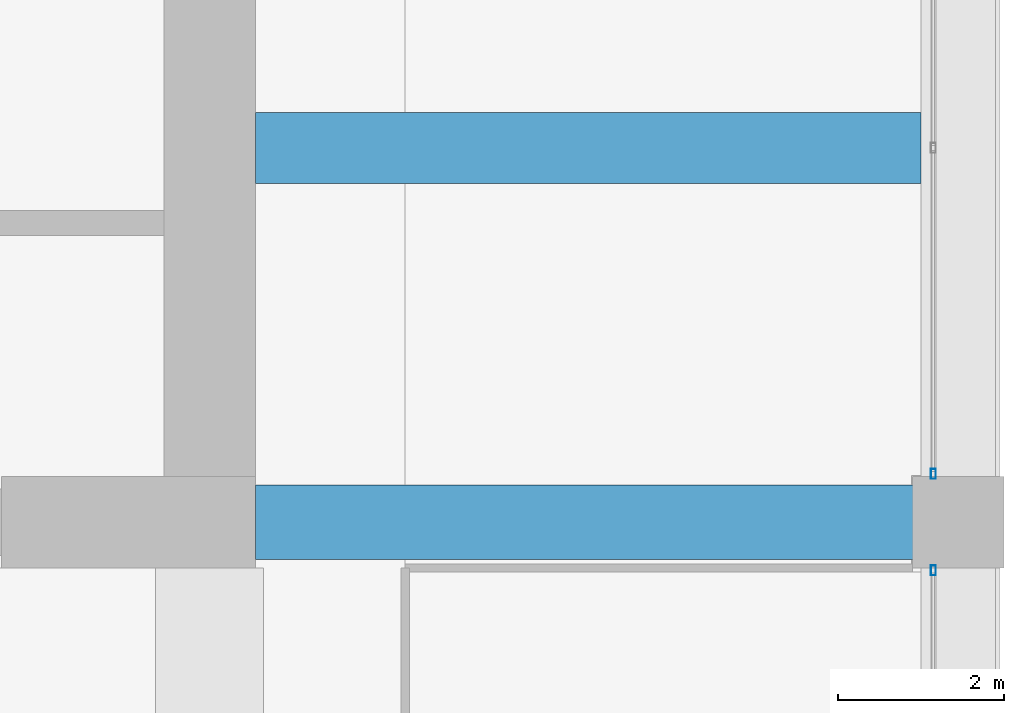
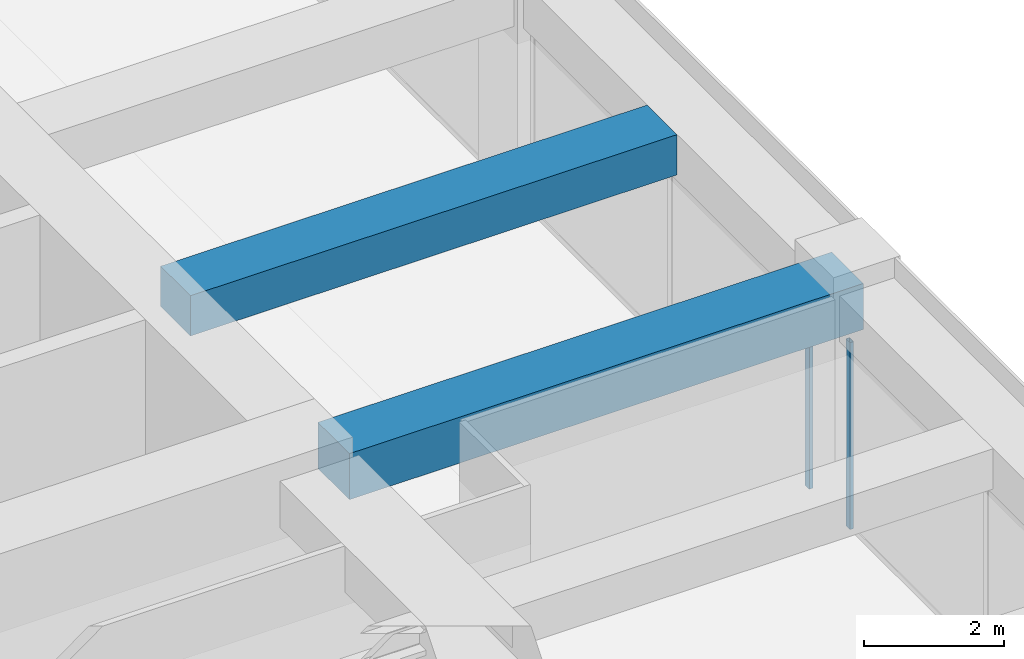
# One storey, part 24 of 44: 2 beams, 2 members, 2 elements without a shape of their own.
"""IFC4 building model written with IfcOpenShell, lengths in metres."""

from ifc_helpers import new_model, si_unit, direction, frame, origin, origin_2d, place, context, subcontext, project, spatial, rectangle, hollow_rectangle, extrude, material, material_profile, profile_set, type_object, element, aggregate, save


model = new_model("IFC4")

# Units and contexts
model_context = context("Model", 3, precision=1e-05, world=origin(), true_north=direction((0.0, 1.0)))
body_context = subcontext(model_context, "Body", "Model", "MODEL_VIEW")
ifc_project = project(units=[si_unit("LENGTHUNIT", "METRE"), si_unit("AREAUNIT", "SQUARE_METRE"), si_unit("VOLUMEUNIT", "CUBIC_METRE"), si_unit("PLANEANGLEUNIT", "RADIAN"), si_unit("MASSUNIT", "GRAM", prefix="KILO")], contexts=[model_context])

# Site, building, storey
site_placement = place(None, origin())
site = spatial("IfcSite", under=ifc_project, at=site_placement, CompositionType="ELEMENT")
building_placement = place(site_placement, origin())
building = spatial("IfcBuilding", under=site, at=building_placement, Name="Zorevar Civic Tower", CompositionType="ELEMENT")
storey_placement = place(building_placement, frame((0.0, 0.0, 307.39990234375)))
storey = spatial("IfcBuildingStorey", under=building, at=storey_placement, Name="L75", CompositionType="ELEMENT", Elevation=307.39990234375)

# Beams
ifc_material_1 = material(Name="Concrete C50/60", Category="concrete")
ifc_material_profile_1 = material_profile(ifc_material_1, rectangle(XDim=0.85009765625, YDim=0.699951171875, at=origin_2d()), Name="RC 850x700")
ifc_profile_set_1 = profile_set([ifc_material_profile_1], Name="Concrete C50/60")
beam_type_1 = type_object("IfcBeamType", Name="Beam RC 850x700", PredefinedType="BEAM", material=ifc_profile_set_1)
beam_1_placement = place(storey_placement, frame((45.550048828125, 22.5, 3.7001953125), z_axis=(1.0, 0.0, 0.0), x_axis=(0.0, 1.0, 0.0)))
element("IfcBeam", 1, at=beam_1_placement, inside=storey, type_object=beam_type_1, Name="Secondary beam RF", PredefinedType="BEAM", context=body_context, shape_type="SweptSolid", body=[
    extrude(rectangle(XDim=0.85009765625, YDim=0.699951171875, at=origin_2d()), origin(), (0.0, 0.0, 1.0), 8.0),
])
ifc_material_2 = material(Name="Concrete C50/60", Category="concrete")
ifc_material_profile_2 = material_profile(ifc_material_2, rectangle(XDim=0.89990234375, YDim=0.800048828125, at=origin_2d()), Name="RC 900x800")
ifc_profile_set_2 = profile_set([ifc_material_profile_2], Name="Concrete C50/60")
beam_type_2 = type_object("IfcBeamType", Name="Beam RC 900x800", PredefinedType="BEAM", material=ifc_profile_set_2)
beam_2_placement = place(storey_placement, frame((45.550048828125, 18.0, 3.650146484375), z_axis=(1.0, 0.0, 0.0), x_axis=(0.0, 1.0, 0.0)))
element("IfcBeam", 2, at=beam_2_placement, inside=storey, type_object=beam_type_2, Name="Girder RF", PredefinedType="BEAM", context=body_context, shape_type="SweptSolid", body=[
    extrude(rectangle(XDim=0.89990234375, YDim=0.800048828125, at=origin_2d()), origin(), (0.0, 0.0, 1.0), 8.449951171875),
])

# Curtain wall, member
ifc_material_3 = material(Name="Dark grey solar-control glass in black aluminium frame", Category="aluminium")
curtain_wall_type = type_object("IfcCurtainWallType", Name="Curtain wall CW5 top zone", PredefinedType="NOTDEFINED", material=ifc_material_3)
curtain_wall_1_placement = place(storey_placement, origin())
curtain_wall_1 = element("IfcCurtainWall", 3, at=curtain_wall_1_placement, inside=storey, type_object=curtain_wall_type, Name="CW5 L75", PredefinedType="NOTDEFINED")
ifc_material_4 = material(Name="Aluminium, black anodised", Category="aluminium")
ifc_material_profile_3 = material_profile(ifc_material_4, hollow_rectangle(XDim=0.06005859375, YDim=0.1201171875, WallThickness=0.0029296875, at=origin_2d()), Name="AL 120x60x3")
ifc_profile_set_3 = profile_set([ifc_material_profile_3], Name="Aluminium, black anodised")
member_type = type_object("IfcMemberType", Name="CW5 mullion AL 120x60x3", PredefinedType="MULLION", material=ifc_profile_set_3)
member_1_placement = place(storey_placement, frame((53.699951171875, 17.419921875, 0.0), z_axis=(0.0, 0.0, 1.0), x_axis=(-1.0, 0.0, 0.0)))
member_1 = element("IfcMember", 4, at=member_1_placement, type_object=member_type, Name="CW5 mullion 3", PredefinedType="MULLION", context=body_context, shape_type="SweptSolid", body=[
    extrude(hollow_rectangle(XDim=0.06005859375, YDim=0.1201171875, WallThickness=0.0029296875, at=origin_2d()), origin(), (0.0, 0.0, 1.0), 3.25),
])
aggregate(curtain_wall_1, [member_1])

curtain_wall_2_placement = place(storey_placement, origin())
curtain_wall_2 = element("IfcCurtainWall", 5, at=curtain_wall_2_placement, inside=storey, type_object=curtain_wall_type, Name="CW5 L75", PredefinedType="NOTDEFINED")
member_2_placement = place(storey_placement, frame((53.699951171875, 18.580078125, 0.0), z_axis=(0.0, 0.0, 1.0), x_axis=(-1.0, 0.0, 0.0)))
member_2 = element("IfcMember", 6, at=member_2_placement, type_object=member_type, Name="CW5 mullion 1", PredefinedType="MULLION", context=body_context, shape_type="SweptSolid", body=[
    extrude(hollow_rectangle(XDim=0.06005859375, YDim=0.1201171875, WallThickness=0.0029296875, at=origin_2d()), origin(), (0.0, 0.0, 1.0), 3.25),
])
aggregate(curtain_wall_2, [member_2])

save(model, "model.ifc")
